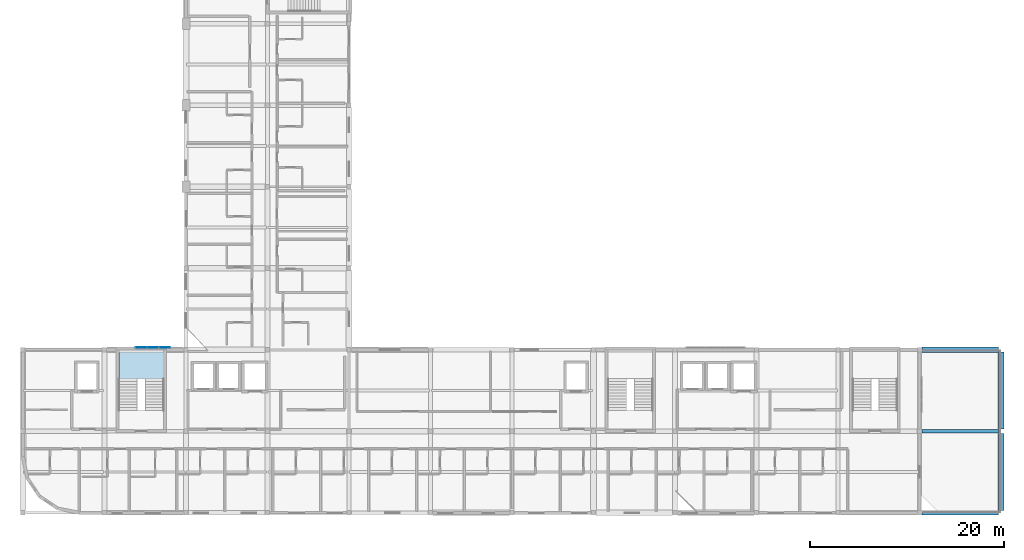
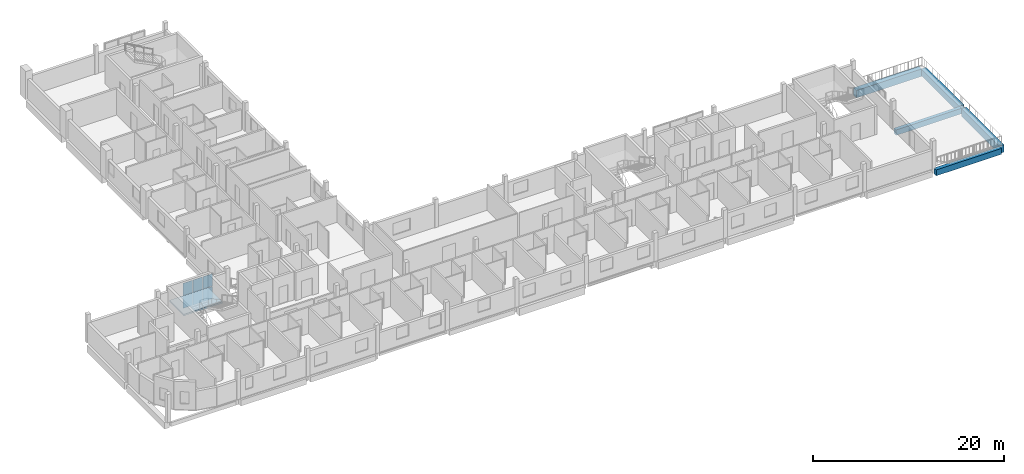
# One storey, part 6 of 19: 6 plates, 5 beams, 1 slab, 2 elements without a shape of their own.
"""IFC4 building model written with IfcOpenShell, lengths in metres."""

from ifc_helpers import new_model, si_unit, derived_unit, direction, frame, origin, origin_2d, place, context, subcontext, project, spatial, polyline, rectangle, outline, extrude, material, layer, layer_set, material_profile, profile_set, type_object, element, aggregate, save


model = new_model("IFC4")

# Units and contexts
model_context = context("Model", 3, precision=1e-05, world=origin(), true_north=direction((0.0, 1.0)))
body_context = subcontext(model_context, "Body", "Model", "MODEL_VIEW")
ifc_project = project(units=[si_unit("LENGTHUNIT", "METRE"), si_unit("AREAUNIT", "SQUARE_METRE"), si_unit("VOLUMEUNIT", "CUBIC_METRE"), si_unit("PLANEANGLEUNIT", "RADIAN"), si_unit("MASSUNIT", "GRAM", prefix="KILO"), derived_unit("THERMALTRANSMITTANCEUNIT", [(si_unit("POWERUNIT", "WATT"), 1), (si_unit("LENGTHUNIT", "METRE"), -2), (si_unit("THERMODYNAMICTEMPERATUREUNIT", "KELVIN"), -1)])], contexts=[model_context])

# Site, building, storey
site_placement = place(None, origin())
site = spatial("IfcSite", under=ifc_project, at=site_placement, CompositionType="ELEMENT")
building_placement = place(site_placement, origin())
building = spatial("IfcBuilding", under=site, at=building_placement, Name="Barrovel Congress Hotel", CompositionType="ELEMENT")
storey_placement = place(building_placement, frame((0.0, 0.0, 43.5)))
storey = spatial("IfcBuildingStorey", under=building, at=storey_placement, Name="L11", CompositionType="ELEMENT", Elevation=43.5)

# Beams
ifc_material_1 = material(Name="Concrete C40", Category="concrete")
ifc_material_profile_1 = material_profile(ifc_material_1, rectangle(XDim=0.39990234375, YDim=0.699951171875, at=origin_2d()), Name="RC400x700")
ifc_profile_set_1 = profile_set([ifc_material_profile_1], Name="Concrete C40")
beam_type_1 = type_object("IfcBeamType", Name="BM-RC400x700", PredefinedType="BEAM", material=ifc_profile_set_1)
beam_1_placement = place(storey_placement, frame((109.449951171875, 12.60009765625, -0.570068359375), z_axis=(1.0, 0.0, 0.0), x_axis=(0.0, 1.0, 0.0)))
element("IfcBeam", 1, at=beam_1_placement, inside=storey, type_object=beam_type_1, Name="BMX:L11:12.6:109.2-117.6", PredefinedType="BEAM", context=body_context, shape_type="SweptSolid", body=[
    extrude(rectangle(XDim=0.39990234375, YDim=0.699951171875, at=origin_2d()), origin(), (0.0, 0.0, 1.0), 7.900146484375),
])
ifc_material_profile_2 = material_profile(ifc_material_1, rectangle(XDim=0.449951171875, YDim=0.75, at=origin_2d()), Name="RC450x750")
ifc_profile_set_2 = profile_set([ifc_material_profile_2], Name="Concrete C40")
beam_type_2 = type_object("IfcBeamType", Name="BM-RC450x750", PredefinedType="BEAM", material=ifc_profile_set_2)
beam_2_placement = place(storey_placement, frame((109.449951171875, 4.199951171875, -0.594970703125), z_axis=(1.0, 0.0, 0.0), x_axis=(0.0, 1.0, 0.0)))
element("IfcBeam", 2, at=beam_2_placement, inside=storey, type_object=beam_type_2, Name="BMX:L11:4.2:109.2-117.6", PredefinedType="BEAM", context=body_context, shape_type="SweptSolid", body=[
    extrude(rectangle(XDim=0.449951171875, YDim=0.75, at=origin_2d()), origin(), (0.0, 0.0, 1.0), 7.900146484375),
])
ifc_material_profile_3 = material_profile(ifc_material_1, rectangle(XDim=0.60009765625, YDim=0.85009765625, at=origin_2d()), Name="RC600x850")
ifc_profile_set_3 = profile_set([ifc_material_profile_3], Name="Concrete C40")
beam_type_3 = type_object("IfcBeamType", Name="BM-RC600x850", PredefinedType="BEAM", material=ifc_profile_set_3)
beam_3_placement = place(storey_placement, frame((117.60009765625, 12.85009765625, -0.64501953125), z_axis=(0.0, 1.0, 0.0), x_axis=(-1.0, 0.0, 0.0)))
element("IfcBeam", 3, at=beam_3_placement, inside=storey, type_object=beam_type_3, Name="BMY:L11:117.6:12.6-21.0", PredefinedType="BEAM", context=body_context, shape_type="SweptSolid", body=[
    extrude(rectangle(XDim=0.60009765625, YDim=0.85009765625, at=origin_2d()), origin(), (0.0, 0.0, 1.0), 7.89990234375),
])
ifc_material_profile_4 = material_profile(ifc_material_1, rectangle(XDim=0.60009765625, YDim=0.949951171875, at=origin_2d()), Name="RC600x950")
ifc_profile_set_4 = profile_set([ifc_material_profile_4], Name="Concrete C40")
beam_type_4 = type_object("IfcBeamType", Name="BM-RC600x950", PredefinedType="BEAM", material=ifc_profile_set_4)
for number, where, z_axis, x_axis, name in (
    (4, (109.449951171875, 21.0, -0.695068359375), (1.0, 0.0, 0.0), (0.0, 1.0, 0.0), "BMX:L11:21.0:109.2-117.6"),
    (5, (117.60009765625, 4.449951171875, -0.695068359375), (0.0, 1.0, 0.0), (-1.0, 0.0, 0.0), "BMY:L11:117.6:4.2-12.6"),
):
    element("IfcBeam", number, at=place(storey_placement, frame(where, z_axis=z_axis, x_axis=x_axis)), inside=storey, type_object=beam_type_4, Name=name, PredefinedType="BEAM", context=body_context, shape_type="SweptSolid", body=[
        extrude(rectangle(XDim=0.60009765625, YDim=0.949951171875, at=origin_2d()), origin(), (0.0, 0.0, 1.0), 7.900146484375),
    ])

# Curtain wall, plates
ifc_material_2 = material(Name="Anodised Aluminium Alloy 6063-T6", Category="aluminium")
curtain_wall_type = type_object("IfcCurtainWallType", Name="CW-UN-3600x3200", PredefinedType="USERDEFINED", material=ifc_material_2)
curtain_wall_placement = place(storey_placement, origin())
curtain_wall = element("IfcCurtainWall", 6, at=curtain_wall_placement, inside=storey, type_object=curtain_wall_type, Name="CW:L11:UN-3", ObjectType="UNITISED CURTAIN WALL", PredefinedType="USERDEFINED")
ifc_material_3 = material(Name="Double Low-E Insulated Glazing", Category="glass")
ifc_layer_1 = layer(ifc_material_3, 0.031982421875)
ifc_layer_set_1 = layer_set([ifc_layer_1], Name="Double Low-E Insulated Glazing")
plate_type = type_object("IfcPlateType", Name="CWP-32", PredefinedType="CURTAIN_PANEL", material=ifc_layer_set_1)
plate_1_placement = place(storey_placement, frame((29.0, 21.219970703125, 0.030029296875), z_axis=(0.0, 0.0, 1.0), x_axis=(1.0, 0.0, 0.0)))
plate_1 = element("IfcPlate", 7, at=plate_1_placement, type_object=plate_type, Name="CW:L11:UN-3:P0-0", PredefinedType="CURTAIN_PANEL", context=body_context, shape_type="SweptSolid", body=[
    extrude(rectangle(XDim=1.139892578125, YDim=0.031982421875, at=origin_2d()), origin(), (0.0, 0.0, 1.0), 1.56494140625),
])
plate_2_placement = place(storey_placement, frame((29.0, 21.219970703125, 1.655029296875), z_axis=(0.0, 0.0, 1.0), x_axis=(1.0, 0.0, 0.0)))
plate_2 = element("IfcPlate", 8, at=plate_2_placement, type_object=plate_type, Name="CW:L11:UN-3:P0-1", PredefinedType="CURTAIN_PANEL", context=body_context, shape_type="SweptSolid", body=[
    extrude(rectangle(XDim=1.139892578125, YDim=0.031982421875, at=origin_2d()), origin(), (0.0, 0.0, 1.0), 1.56494140625),
])
plate_3_placement = place(storey_placement, frame((30.199951171875, 21.219970703125, 0.030029296875), z_axis=(0.0, 0.0, 1.0), x_axis=(1.0, 0.0, 0.0)))
plate_3 = element("IfcPlate", 9, at=plate_3_placement, type_object=plate_type, Name="CW:L11:UN-3:P1-0", PredefinedType="CURTAIN_PANEL", context=body_context, shape_type="SweptSolid", body=[
    extrude(rectangle(XDim=1.139892578125, YDim=0.031982421875, at=origin_2d()), origin(), (0.0, 0.0, 1.0), 1.56494140625),
])
plate_4_placement = place(storey_placement, frame((30.199951171875, 21.219970703125, 1.655029296875), z_axis=(0.0, 0.0, 1.0), x_axis=(1.0, 0.0, 0.0)))
plate_4 = element("IfcPlate", 10, at=plate_4_placement, type_object=plate_type, Name="CW:L11:UN-3:P1-1", PredefinedType="CURTAIN_PANEL", context=body_context, shape_type="SweptSolid", body=[
    extrude(rectangle(XDim=1.139892578125, YDim=0.031982421875, at=origin_2d()), origin(), (0.0, 0.0, 1.0), 1.56494140625),
])
plate_5_placement = place(storey_placement, frame((31.39990234375, 21.219970703125, 0.030029296875), z_axis=(0.0, 0.0, 1.0), x_axis=(1.0, 0.0, 0.0)))
plate_5 = element("IfcPlate", 11, at=plate_5_placement, type_object=plate_type, Name="CW:L11:UN-3:P2-0", PredefinedType="CURTAIN_PANEL", context=body_context, shape_type="SweptSolid", body=[
    extrude(rectangle(XDim=1.139892578125, YDim=0.031982421875, at=origin_2d()), origin(), (0.0, 0.0, 1.0), 1.56494140625),
])
plate_6_placement = place(storey_placement, frame((31.39990234375, 21.219970703125, 1.655029296875), z_axis=(0.0, 0.0, 1.0), x_axis=(1.0, 0.0, 0.0)))
plate_6 = element("IfcPlate", 12, at=plate_6_placement, type_object=plate_type, Name="CW:L11:UN-3:P2-1", PredefinedType="CURTAIN_PANEL", context=body_context, shape_type="SweptSolid", body=[
    extrude(rectangle(XDim=1.139892578125, YDim=0.031982421875, at=origin_2d()), origin(), (0.0, 0.0, 1.0), 1.56494140625),
])
aggregate(curtain_wall, [plate_1, plate_2, plate_3, plate_4, plate_5, plate_6])

# Stair, slab
stair_type = type_object("IfcStairType", Name="STR-HT-360", PredefinedType="HALF_TURN_STAIR", material=ifc_material_1)
stair_placement = place(storey_placement, origin())
stair = element("IfcStair", 13, at=stair_placement, inside=storey, type_object=stair_type, Name="Exit Stair XS-01 (L11)", PredefinedType="HALF_TURN_STAIR")
ifc_layer_2 = layer(ifc_material_1, 0.18994140625)
ifc_layer_set_2 = layer_set([ifc_layer_2], Name="Concrete C40")
slab_type = type_object("IfcSlabType", Name="SL-LDG-190", PredefinedType="LANDING", material=ifc_layer_set_2)
slab_placement = place(storey_placement, frame((0.0, 0.0, 1.610107421875)))
slab = element("IfcSlab", 14, at=slab_placement, type_object=slab_type, Name="STAIR:XS-01:L11:LDG", PredefinedType="LANDING", context=body_context, shape_type="SweptSolid", body=[
    extrude(outline(polyline([(26.679931640625, 18.010009765625), (31.320068359375, 18.010009765625), (31.320068359375, 21.02001953125), (26.679931640625, 21.02001953125), (26.679931640625, 18.010009765625)])), origin(), (0.0, 0.0, 1.0), 0.18994140625),
])
aggregate(stair, [slab])

save(model, "model.ifc")
